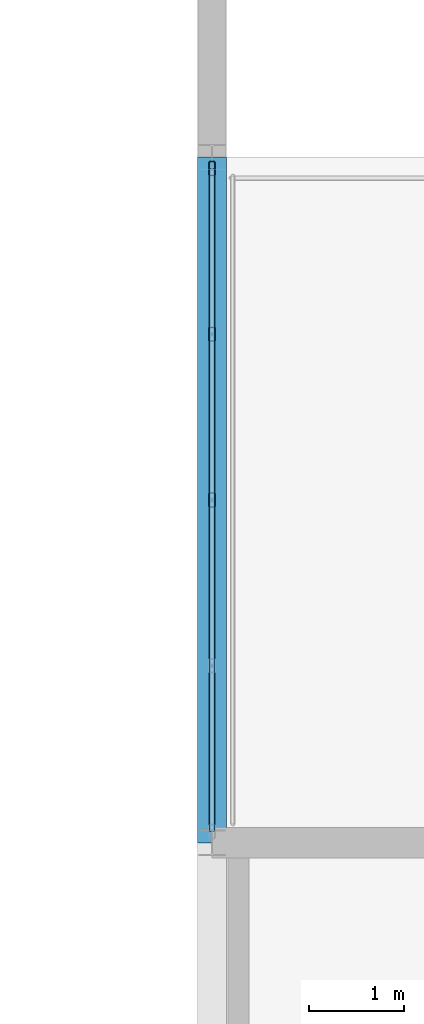
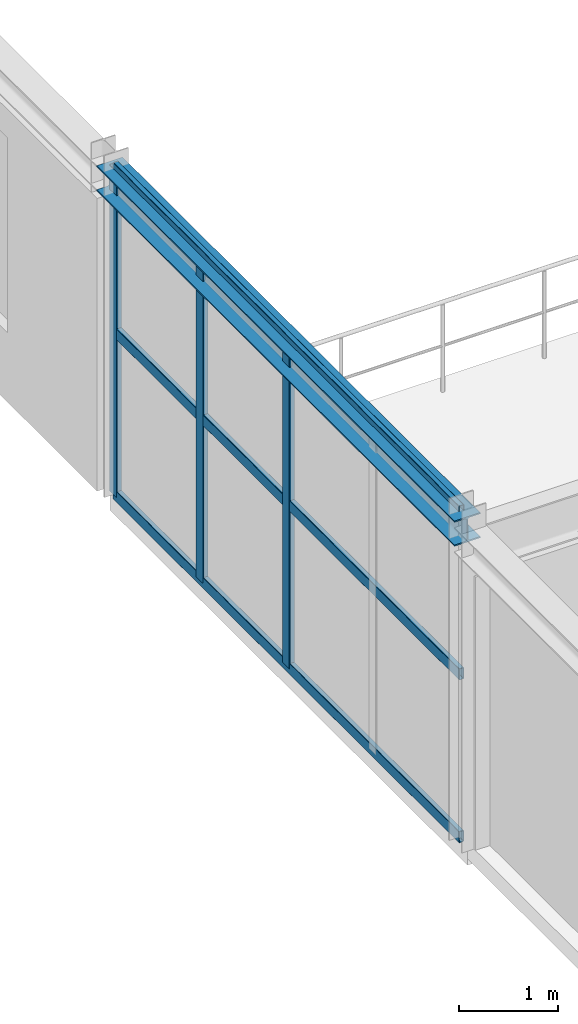
# One storey, part 50 of 73: 6 members, 1 beam, 1 element without a shape of its own.
"""IFC4 building model written with IfcOpenShell, lengths in metres."""

from ifc_helpers import new_model, si_unit, derived_unit, direction, frame, origin, origin_2d, place, context, subcontext, project, spatial, hollow_rectangle, i_section, extrude, material, material_profile, profile_set, type_object, element, aggregate, save


model = new_model("IFC4")

# Units and contexts
model_context = context("Model", 3, precision=1e-05, world=origin(), true_north=direction((0.0, 1.0)))
body_context = subcontext(model_context, "Body", "Model", "MODEL_VIEW")
ifc_project = project(units=[si_unit("LENGTHUNIT", "METRE"), si_unit("AREAUNIT", "SQUARE_METRE"), si_unit("VOLUMEUNIT", "CUBIC_METRE"), si_unit("PLANEANGLEUNIT", "RADIAN"), si_unit("MASSUNIT", "GRAM", prefix="KILO"), derived_unit("THERMALTRANSMITTANCEUNIT", [(si_unit("MASSUNIT", "GRAM", prefix="KILO"), 1), (si_unit("TIMEUNIT", "SECOND"), -3), (si_unit("THERMODYNAMICTEMPERATUREUNIT", "KELVIN"), -1)])], contexts=[model_context])

# Site, building, storey
site_placement = place(None, origin())
site = spatial("IfcSite", under=ifc_project, at=site_placement, CompositionType="ELEMENT")
building_placement = place(site_placement, origin())
building = spatial("IfcBuilding", under=site, at=building_placement, Name="Kharveza Railside Sports Centre", CompositionType="ELEMENT")
storey_placement = place(building_placement, frame((0.0, 0.0, 8.699951171875)))
storey = spatial("IfcBuildingStorey", under=building, at=storey_placement, Name="L02", CompositionType="ELEMENT", Elevation=8.699951171875)

# Beam
ifc_material_1 = material(Name="Steel S355J2", Category="steel")
ifc_material_profile_1 = material_profile(ifc_material_1, i_section(OverallWidth=0.300048828125, OverallDepth=0.31005859375, WebThickness=0.009033203125, FlangeThickness=0.015380859375, FilletRadius=0.027099609375, at=origin_2d()), Name="HEA 320")
ifc_profile_set_1 = profile_set([ifc_material_profile_1], Name="Steel S355J2")
beam_type = type_object("IfcBeamType", Name="BM-S06", PredefinedType="BEAM", material=ifc_profile_set_1)
beam_placement = place(storey_placement, frame((142.800048828125, 93.60009765625, 3.844970703125), z_axis=(0.0, 1.0, 0.0), x_axis=(-1.0, 0.0, 0.0)))
element("IfcBeam", 1, at=beam_placement, inside=storey, type_object=beam_type, Name="BM-NS-L02-B14-X1428-Y936", PredefinedType="BEAM", context=body_context, shape_type="SweptSolid", body=[
    extrude(i_section(OverallWidth=0.300048828125, OverallDepth=0.31005859375, WebThickness=0.009033203125, FlangeThickness=0.015380859375, FilletRadius=0.027099609375, at=origin_2d()), origin(), (0.0, 0.0, 1.0), 7.199951171875),
])

# Curtain wall, members
ifc_material_2 = material(Name="Low-E solar-control laminated glass", Category="glass")
curtain_wall_type = type_object("IfcCurtainWallType", Name="CW-WG02", PredefinedType="NOTDEFINED", material=ifc_material_2)
curtain_wall_placement = place(storey_placement, origin())
curtain_wall = element("IfcCurtainWall", 2, at=curtain_wall_placement, inside=storey, type_object=curtain_wall_type, Name="CW-WG-L02-CW-WG02-X1428-Y972", PredefinedType="NOTDEFINED")
ifc_material_3 = material(Name="Anodised aluminium 6063-T6", Category="aluminium")
ifc_material_profile_2 = material_profile(ifc_material_3, hollow_rectangle(XDim=0.06494140625, YDim=0.14990234375, WallThickness=0.0048828125, InnerFilletRadius=0.0048828125, OuterFilletRadius=0.010009765625, at=origin_2d()), Name="RHS 65x150x5.0")
ifc_profile_set_2 = profile_set([ifc_material_profile_2], Name="Anodised aluminium 6063-T6")
member_type_1 = type_object("IfcMemberType", Name="CW-ML04", PredefinedType="MULLION", material=ifc_profile_set_2)
member_1_placement = place(storey_placement, frame((142.800048828125, 97.199951171875, 0.0), z_axis=(0.0, 0.0, 1.0), x_axis=(1.0, 0.0, 0.0)))
member_1 = element("IfcMember", 3, at=member_1_placement, type_object=member_type_1, Name="CW-WG-L02-CW-WG02-X1428-Y972-ML3", PredefinedType="MULLION", context=body_context, shape_type="SweptSolid", body=[
    extrude(hollow_rectangle(XDim=0.06494140625, YDim=0.14990234375, WallThickness=0.0048828125, InnerFilletRadius=0.0048828125, OuterFilletRadius=0.010009765625, at=origin_2d()), origin(), (0.0, 0.0, 1.0), 4.0),
])
member_2_placement = place(storey_placement, frame((142.800048828125, 98.93994140625, 0.0), z_axis=(0.0, 0.0, 1.0), x_axis=(1.0, 0.0, 0.0)))
member_2 = element("IfcMember", 4, at=member_2_placement, type_object=member_type_1, Name="CW-WG-L02-CW-WG02-X1428-Y972-ML4", PredefinedType="MULLION", context=body_context, shape_type="SweptSolid", body=[
    extrude(hollow_rectangle(XDim=0.06494140625, YDim=0.14990234375, WallThickness=0.0048828125, InnerFilletRadius=0.0048828125, OuterFilletRadius=0.010009765625, at=origin_2d()), origin(), (0.0, 0.0, 1.0), 4.0),
])
member_3_placement = place(storey_placement, frame((142.800048828125, 100.679931640625, 0.0), z_axis=(0.0, 0.0, 1.0), x_axis=(1.0, 0.0, 0.0)))
member_3 = element("IfcMember", 5, at=member_3_placement, type_object=member_type_1, Name="CW-WG-L02-CW-WG02-X1428-Y972-ML5", PredefinedType="MULLION", context=body_context, shape_type="SweptSolid", body=[
    extrude(hollow_rectangle(XDim=0.06494140625, YDim=0.14990234375, WallThickness=0.0048828125, InnerFilletRadius=0.0048828125, OuterFilletRadius=0.010009765625, at=origin_2d()), origin(), (0.0, 0.0, 1.0), 4.0),
])
ifc_material_profile_3 = material_profile(ifc_material_3, hollow_rectangle(XDim=0.06005859375, YDim=0.139892578125, WallThickness=0.0048828125, InnerFilletRadius=0.0048828125, OuterFilletRadius=0.010009765625, at=origin_2d()), Name="RHS 60x140x5.0")
ifc_profile_set_3 = profile_set([ifc_material_profile_3], Name="Anodised aluminium 6063-T6")
member_type_2 = type_object("IfcMemberType", Name="CW-TR04", PredefinedType="USERDEFINED", material=ifc_profile_set_3)
member_4_placement = place(storey_placement, frame((142.800048828125, 93.719970703125, 0.0), z_axis=(0.0, 1.0, 0.0), x_axis=(-1.0, 0.0, 0.0)))
member_4 = element("IfcMember", 6, at=member_4_placement, type_object=member_type_2, Name="CW-WG-L02-CW-WG02-X1428-Y972-TR1", ObjectType="TRANSOM", PredefinedType="USERDEFINED", context=body_context, shape_type="SweptSolid", body=[
    extrude(hollow_rectangle(XDim=0.06005859375, YDim=0.139892578125, WallThickness=0.0048828125, InnerFilletRadius=0.0048828125, OuterFilletRadius=0.010009765625, at=origin_2d()), origin(), (0.0, 0.0, 1.0), 6.9599609375),
])
member_5_placement = place(storey_placement, frame((142.800048828125, 93.719970703125, 2.0), z_axis=(0.0, 1.0, 0.0), x_axis=(-1.0, 0.0, 0.0)))
member_5 = element("IfcMember", 7, at=member_5_placement, type_object=member_type_2, Name="CW-WG-L02-CW-WG02-X1428-Y972-TR2", ObjectType="TRANSOM", PredefinedType="USERDEFINED", context=body_context, shape_type="SweptSolid", body=[
    extrude(hollow_rectangle(XDim=0.06005859375, YDim=0.139892578125, WallThickness=0.0048828125, InnerFilletRadius=0.0048828125, OuterFilletRadius=0.010009765625, at=origin_2d()), origin(), (0.0, 0.0, 1.0), 6.9599609375),
])
member_6_placement = place(storey_placement, frame((142.800048828125, 93.719970703125, 4.0), z_axis=(0.0, 1.0, 0.0), x_axis=(-1.0, 0.0, 0.0)))
member_6 = element("IfcMember", 8, at=member_6_placement, type_object=member_type_2, Name="CW-WG-L02-CW-WG02-X1428-Y972-TR3", ObjectType="TRANSOM", PredefinedType="USERDEFINED", context=body_context, shape_type="SweptSolid", body=[
    extrude(hollow_rectangle(XDim=0.06005859375, YDim=0.139892578125, WallThickness=0.0048828125, InnerFilletRadius=0.0048828125, OuterFilletRadius=0.010009765625, at=origin_2d()), origin(), (0.0, 0.0, 1.0), 6.9599609375),
])
aggregate(curtain_wall, [member_1, member_2, member_3, member_4, member_5, member_6])

save(model, "model.ifc")
